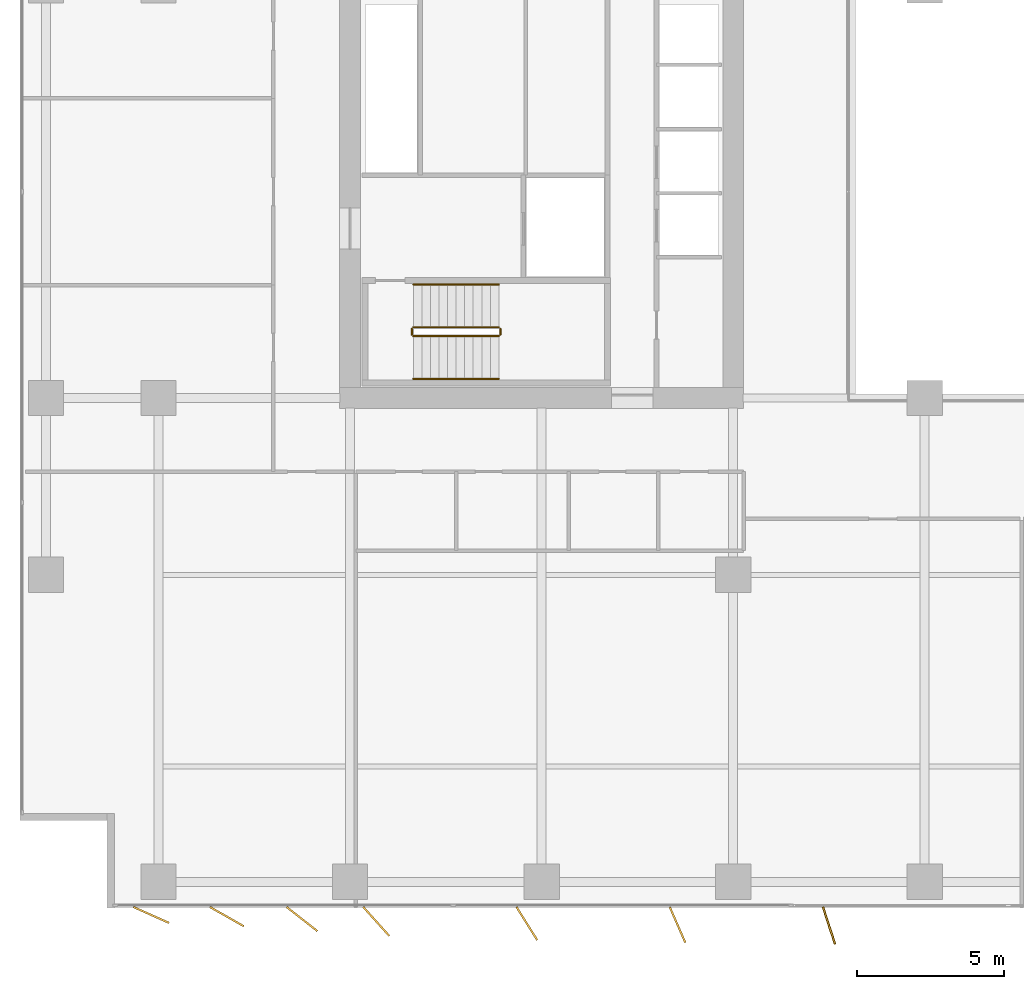
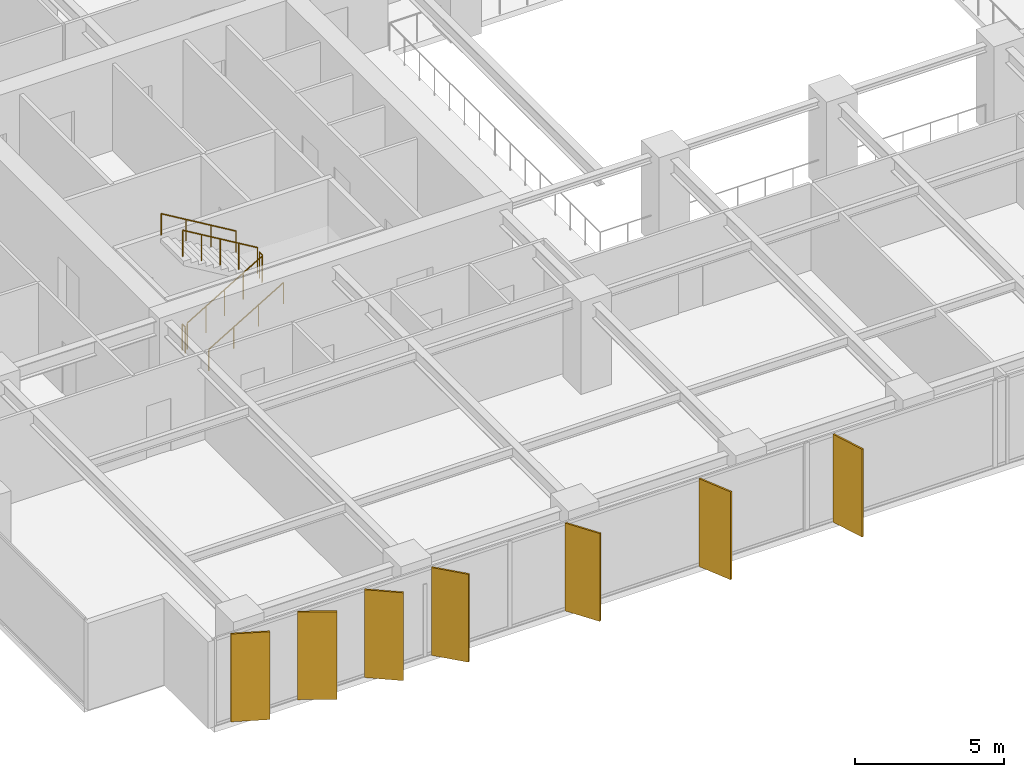
# One storey, part 17 of 20: 7 shading devices, 6 railings.
"""IFC4 building model written with IfcOpenShell, lengths in metres."""

from ifc_helpers import new_model, si_unit, direction, frame, origin, origin_2d, place, context, subcontext, project, spatial, rectangle, circle, extrude, material, layer, layer_set, type_object, element, save


model = new_model("IFC4")

# Units and contexts
model_context = context("Model", 3, precision=1e-05, world=origin(), true_north=direction((0.0, 1.0)))
body_context = subcontext(model_context, "Body", "Model", "MODEL_VIEW")
ifc_project = project(units=[si_unit("LENGTHUNIT", "METRE"), si_unit("AREAUNIT", "SQUARE_METRE"), si_unit("VOLUMEUNIT", "CUBIC_METRE"), si_unit("PLANEANGLEUNIT", "RADIAN"), si_unit("MASSUNIT", "GRAM", prefix="KILO")], contexts=[model_context])

# Site, building, storey
site_placement = place(None, origin())
site = spatial("IfcSite", under=ifc_project, at=site_placement, CompositionType="ELEMENT")
building_placement = place(site_placement, origin())
building = spatial("IfcBuilding", under=site, at=building_placement, Name="Putna Gate Headquarters", CompositionType="ELEMENT")
storey_placement = place(building_placement, frame((0.0, 0.0, 124.0)))
storey = spatial("IfcBuildingStorey", under=building, at=storey_placement, Name="L30", CompositionType="ELEMENT", Elevation=124.0)

# Railings
ifc_material_1 = material(Name="Powder-coated steel stair guardrail", Category="steel")
railing_type_1 = type_object("IfcRailingType", Name="RAIL-STAIR-GUARD-1100", PredefinedType="GUARDRAIL", material=ifc_material_1)
railing_1_placement = place(storey_placement, frame((15.14990234375, 21.10009765625, 0.172607421875)))
element("IfcRailing", 1, at=railing_1_placement, inside=storey, type_object=railing_type_1, Name="L30 ST1 stair guard 1", PredefinedType="GUARDRAIL", context=body_context, shape_type="SweptSolid", body=[
    extrude(circle(Radius=0.02392578125, at=origin_2d()), frame((0.0, 0.0, 1.076171875), z_axis=(0.859160404282, 0.0, 0.51170636083), x_axis=(0.0, 1.0, 0.0)), (0.0, 0.0, 1.0), 3.37548828125),
    extrude(circle(Radius=0.02099609375, at=origin_2d()), origin(), (0.0, 0.0, 1.0), 1.052001953125),
    extrude(circle(Radius=0.02099609375, at=origin_2d()), frame((0.72509765625, 0.0, 0.431884765625)), (0.0, 0.0, 1.0), 1.052001953125),
    extrude(circle(Radius=0.02099609375, at=origin_2d()), frame((1.4501953125, 0.0, 0.86376953125)), (0.0, 0.0, 1.0), 1.052001953125),
    extrude(circle(Radius=0.02099609375, at=origin_2d()), frame((2.175048828125, 0.0, 1.29541015625)), (0.0, 0.0, 1.0), 1.052001953125),
    extrude(circle(Radius=0.02099609375, at=origin_2d()), frame((2.900146484375, 0.0, 1.727294921875)), (0.0, 0.0, 1.0), 1.052001953125),
])
railing_2_placement = place(storey_placement, frame((18.10009765625, 21.14990234375, 1.89990234375)))
element("IfcRailing", 2, at=railing_2_placement, inside=storey, type_object=railing_type_1, Name="L30 ST1 stair guard 2", PredefinedType="GUARDRAIL", context=body_context, shape_type="SweptSolid", body=[
    extrude(circle(Radius=0.02392578125, at=origin_2d()), frame((0.0, 0.0, 1.076171875), z_axis=(0.0, 1.0, 0.0), x_axis=(-1.0, 0.0, 0.0)), (0.0, 0.0, 1.0), 0.2001953125),
    extrude(circle(Radius=0.02099609375, at=origin_2d()), origin(), (0.0, 0.0, 1.0), 1.052001953125),
    extrude(circle(Radius=0.02099609375, at=origin_2d()), frame((0.0, 0.2001953125, 0.0)), (0.0, 0.0, 1.0), 1.052001953125),
])
railing_3_placement = place(storey_placement, frame((18.050048828125, 21.39990234375, 2.07275390625)))
element("IfcRailing", 3, at=railing_3_placement, inside=storey, type_object=railing_type_1, Name="L30 ST1 stair guard 3", PredefinedType="GUARDRAIL", context=body_context, shape_type="SweptSolid", body=[
    extrude(circle(Radius=0.02392578125, at=origin_2d()), frame((0.0, 0.0, 1.076171875), z_axis=(-0.859160404282, 0.0, 0.51170636083), x_axis=(0.0, -1.0, 0.0)), (0.0, 0.0, 1.0), 3.37548828125),
    extrude(circle(Radius=0.02099609375, at=origin_2d()), origin(), (0.0, 0.0, 1.0), 1.052001953125),
    extrude(circle(Radius=0.02099609375, at=origin_2d()), frame((-0.72509765625, 0.0, 0.431884765625)), (0.0, 0.0, 1.0), 1.052001953125),
    extrude(circle(Radius=0.02099609375, at=origin_2d()), frame((-1.4501953125, 0.0, 0.86376953125)), (0.0, 0.0, 1.0), 1.052001953125),
    extrude(circle(Radius=0.02099609375, at=origin_2d()), frame((-2.175048828125, 0.0, 1.29541015625)), (0.0, 0.0, 1.0), 1.052001953125),
    extrude(circle(Radius=0.02099609375, at=origin_2d()), frame((-2.900146484375, 0.0, 1.727294921875)), (0.0, 0.0, 1.0), 1.052001953125),
])
railing_4_placement = place(storey_placement, frame((15.10009765625, 21.14990234375, 0.0)))
element("IfcRailing", 4, at=railing_4_placement, inside=storey, type_object=railing_type_1, Name="L30 ST1 stair guard 4", PredefinedType="GUARDRAIL", context=body_context, shape_type="SweptSolid", body=[
    extrude(circle(Radius=0.02392578125, at=origin_2d()), frame((0.0, 0.0, 1.076171875), z_axis=(0.0, 1.0, 0.0), x_axis=(-1.0, 0.0, 0.0)), (0.0, 0.0, 1.0), 0.2001953125),
    extrude(circle(Radius=0.02099609375, at=origin_2d()), origin(), (0.0, 0.0, 1.0), 1.052001953125),
    extrude(circle(Radius=0.02099609375, at=origin_2d()), frame((0.0, 0.2001953125, 0.0)), (0.0, 0.0, 1.0), 1.052001953125),
])
ifc_material_2 = material(Name="Brushed stainless steel handrail", Category="steel")
railing_type_2 = type_object("IfcRailingType", Name="RAIL-STAIR-HAND-900", PredefinedType="HANDRAIL", material=ifc_material_2)
railing_5_placement = place(storey_placement, frame((15.14990234375, 19.64990234375, 0.172607421875)))
element("IfcRailing", 5, at=railing_5_placement, inside=storey, type_object=railing_type_2, Name="L30 ST1 stair handrail 1", PredefinedType="HANDRAIL", context=body_context, shape_type="SweptSolid", body=[
    extrude(circle(Radius=0.02392578125, at=origin_2d()), frame((0.0, 0.0, 0.8759765625), z_axis=(0.859160404282, 0.0, 0.51170636083), x_axis=(0.0, 1.0, 0.0)), (0.0, 0.0, 1.0), 3.37548828125),
    extrude(circle(Radius=0.02099609375, at=origin_2d()), origin(), (0.0, 0.0, 1.0), 0.851806640625),
    extrude(circle(Radius=0.02099609375, at=origin_2d()), frame((0.966796875, 0.0, 0.57568359375)), (0.0, 0.0, 1.0), 0.851806640625),
    extrude(circle(Radius=0.02099609375, at=origin_2d()), frame((1.933349609375, 0.0, 1.151611328125)), (0.0, 0.0, 1.0), 0.851806640625),
    extrude(circle(Radius=0.02099609375, at=origin_2d()), frame((2.900146484375, 0.0, 1.727294921875)), (0.0, 0.0, 1.0), 0.851806640625),
])
railing_6_placement = place(storey_placement, frame((18.050048828125, 22.85009765625, 2.07275390625)))
element("IfcRailing", 6, at=railing_6_placement, inside=storey, type_object=railing_type_2, Name="L30 ST1 stair handrail 2", PredefinedType="HANDRAIL", context=body_context, shape_type="SweptSolid", body=[
    extrude(circle(Radius=0.02392578125, at=origin_2d()), frame((0.0, 0.0, 0.8759765625), z_axis=(-0.859160404282, 0.0, 0.51170636083), x_axis=(0.0, -1.0, 0.0)), (0.0, 0.0, 1.0), 3.37548828125),
    extrude(circle(Radius=0.02099609375, at=origin_2d()), origin(), (0.0, 0.0, 1.0), 0.851806640625),
    extrude(circle(Radius=0.02099609375, at=origin_2d()), frame((-0.966796875, 0.0, 0.57568359375)), (0.0, 0.0, 1.0), 0.851806640625),
    extrude(circle(Radius=0.02099609375, at=origin_2d()), frame((-1.933349609375, 0.0, 1.151611328125)), (0.0, 0.0, 1.0), 0.851806640625),
    extrude(circle(Radius=0.02099609375, at=origin_2d()), frame((-2.900146484375, 0.0, 1.727294921875)), (0.0, 0.0, 1.0), 0.851806640625),
])

# Shading devices
ifc_material_3 = material(Name="Anodised architectural bronze aluminium fin", Category="aluminium")
ifc_layer = layer(ifc_material_3, 0.06494140625)
ifc_layer_set = layer_set([ifc_layer], Name="Anodised architectural bronze aluminium fin")
shading_device_type = type_object("IfcShadingDeviceType", Name="SHADE-BRONZE-FIN-1320", PredefinedType="USERDEFINED", material=ifc_layer_set)
for number, where, z_axis, x_axis, name in (
    (7, (6.2529296875, 1.456787109375, -0.02001953125), (0.0, 0.0, 1.0), (0.913687379856, -0.40641773078, 0.0), "L30 Bronze Vertical Shading Fin S1"),
    (8, (8.82373046875, 1.398681640625, -0.02001953125), (0.0, 0.0, 1.0), (0.869322458298, -0.494245347472, 0.0), "L30 Bronze Vertical Shading Fin S2"),
    (9, (11.36962890625, 1.318115234375, -0.02001953125), (0.0, 0.0, 1.0), (0.787473187632, -0.616348909921, 0.0), "L30 Bronze Vertical Shading Fin S3"),
    (10, (13.8916015625, 1.234619140625, -0.02001953125), (0.0, 0.0, 1.0), (0.669130606359, -0.743144825477, 0.0), "L30 Bronze Vertical Shading Fin S4"),
    (11, (19.000244140625, 1.16552734375, -0.02001953125), (0.0, 0.0, 1.0), (0.530659123936, -0.847585331506, 0.0), "L30 Bronze Vertical Shading Fin S5"),
    (12, (24.114501953125, 1.120361328125, -0.02001953125), (0.0, 0.0, 1.0), (0.400668879095, -0.916222925562, 0.0), "L30 Bronze Vertical Shading Fin S6"),
    (13, (29.253662109375, 1.09716796875, -0.02001953125), (0.0, 0.0, 1.0), (0.308684994204, -0.951164325631, 0.0), "L30 Bronze Vertical Shading Fin S7"),
):
    element("IfcShadingDevice", number, at=place(storey_placement, frame(where, z_axis=z_axis, x_axis=x_axis)), inside=storey, type_object=shading_device_type, Name=name, ObjectType="FIN", PredefinedType="USERDEFINED", context=body_context, shape_type="SweptSolid", body=[
        extrude(rectangle(XDim=1.320068359375, YDim=0.06494140625, at=origin_2d()), origin(), (0.0, 0.0, 1.0), 3.60498046875),
    ])

save(model, "model.ifc")
